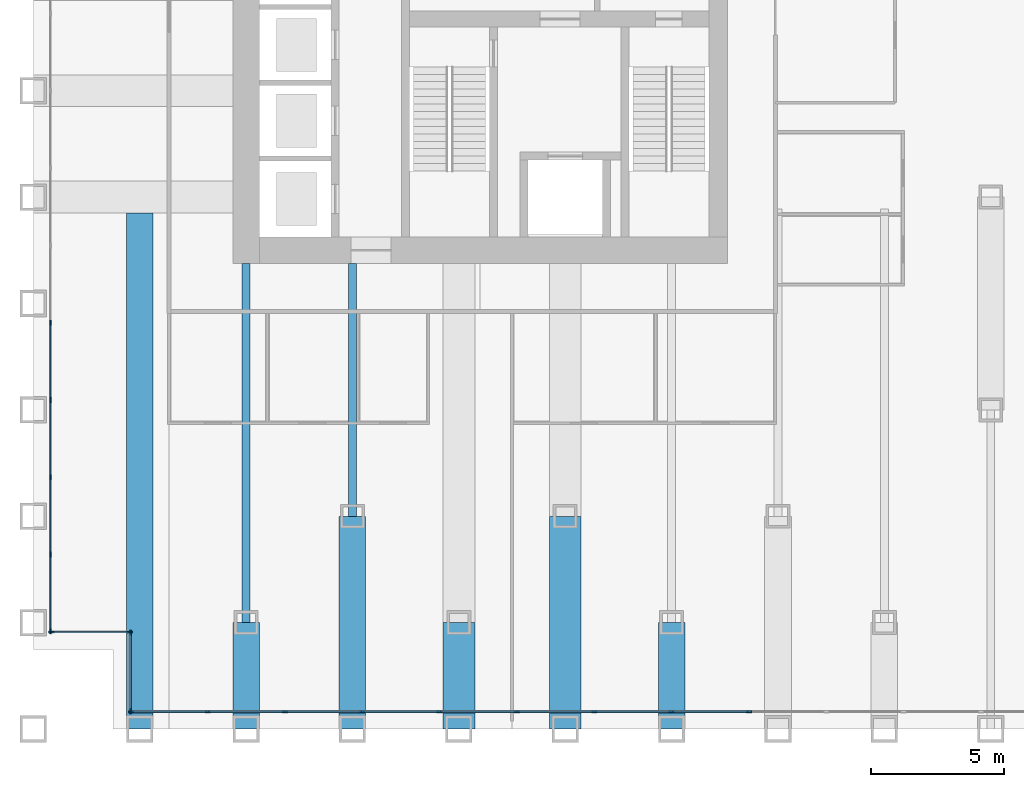
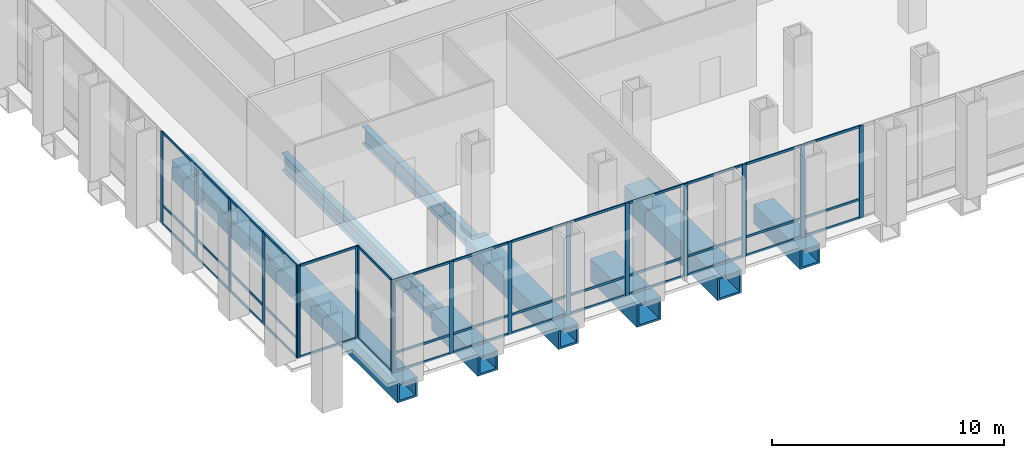
# One storey, part 2 of 16: 58 members, 8 beams, 4 elements without a shape of their own.
"""IFC4 building model written with IfcOpenShell, lengths in metres."""

from ifc_helpers import new_model, si_unit, direction, frame, origin, origin_2d, place, context, subcontext, project, spatial, rectangle, hollow_rectangle, i_section, extrude, material, material_profile, profile_set, type_object, element, aggregate, save


model = new_model("IFC4")

# Units and contexts
model_context = context("Model", 3, precision=1e-05, world=origin(), true_north=direction((0.0, 1.0)))
body_context = subcontext(model_context, "Body", "Model", "MODEL_VIEW")
ifc_project = project(units=[si_unit("LENGTHUNIT", "METRE"), si_unit("AREAUNIT", "SQUARE_METRE"), si_unit("VOLUMEUNIT", "CUBIC_METRE"), si_unit("PLANEANGLEUNIT", "RADIAN"), si_unit("MASSUNIT", "GRAM", prefix="KILO")], contexts=[model_context])

# Site, building, storey
site_placement = place(None, origin())
site = spatial("IfcSite", under=ifc_project, at=site_placement, CompositionType="ELEMENT")
building_placement = place(site_placement, origin())
building = spatial("IfcBuilding", under=site, at=building_placement, Name="Rimbunsela Tower", CompositionType="ELEMENT")
storey_placement = place(building_placement, frame((0.0, 0.0, 76.39990234375)))
storey = spatial("IfcBuildingStorey", under=building, at=storey_placement, Name="L18", CompositionType="ELEMENT", Elevation=76.39990234375)

# Beams
ifc_material_1 = material(Name="Steel BJ 55 (fy 410 MPa)", Category="steel")
ifc_material_profile_1 = material_profile(ifc_material_1, hollow_rectangle(XDim=1.0, YDim=1.0, WallThickness=0.10009765625, at=origin_2d()), Name="BOX 1000x1000x100")
ifc_profile_set_1 = profile_set([ifc_material_profile_1], Name="Steel BJ 55 (fy 410 MPa)")
beam_type_1 = type_object("IfcBeamType", Name="Beam BOX 1000x1000x100", PredefinedType="BEAM", material=ifc_profile_set_1)
beam_1_placement = place(storey_placement, frame((14.0, 0.0, -0.64990234375), z_axis=(0.0, 1.0, 0.0), x_axis=(-1.0, 0.0, 0.0)))
element("IfcBeam", 1, at=beam_1_placement, inside=storey, type_object=beam_type_1, Name="Beam B3 L18", PredefinedType="BEAM", context=body_context, shape_type="SweptSolid", body=[
    extrude(hollow_rectangle(XDim=1.0, YDim=1.0, WallThickness=0.10009765625, at=origin_2d()), origin(), (0.0, 0.0, 1.0), 19.39990234375),
])
beam_2_placement = place(storey_placement, frame((18.0, 0.0, -0.64990234375), z_axis=(0.0, 1.0, 0.0), x_axis=(-1.0, 0.0, 0.0)))
element("IfcBeam", 2, at=beam_2_placement, inside=storey, type_object=beam_type_1, Name="Beam B3 L18", PredefinedType="BEAM", context=body_context, shape_type="SweptSolid", body=[
    extrude(hollow_rectangle(XDim=1.0, YDim=1.0, WallThickness=0.10009765625, at=origin_2d()), origin(), (0.0, 0.0, 1.0), 4.0),
])
beam_3_placement = place(storey_placement, frame((22.0, 0.0, -0.64990234375), z_axis=(0.0, 1.0, 0.0), x_axis=(-1.0, 0.0, 0.0)))
element("IfcBeam", 3, at=beam_3_placement, inside=storey, type_object=beam_type_1, Name="Beam B3 L18", PredefinedType="BEAM", context=body_context, shape_type="SweptSolid", body=[
    extrude(hollow_rectangle(XDim=1.0, YDim=1.0, WallThickness=0.10009765625, at=origin_2d()), origin(), (0.0, 0.0, 1.0), 8.0),
])
beam_4_placement = place(storey_placement, frame((34.0, 0.0, -0.64990234375), z_axis=(0.0, 1.0, 0.0), x_axis=(-1.0, 0.0, 0.0)))
element("IfcBeam", 4, at=beam_4_placement, inside=storey, type_object=beam_type_1, Name="Beam B3 L18", PredefinedType="BEAM", context=body_context, shape_type="SweptSolid", body=[
    extrude(hollow_rectangle(XDim=1.0, YDim=1.0, WallThickness=0.10009765625, at=origin_2d()), origin(), (0.0, 0.0, 1.0), 4.0),
])
ifc_material_2 = material(Name="Steel BJ 55 (fy 410 MPa)", Category="steel")
ifc_material_profile_2 = material_profile(ifc_material_2, hollow_rectangle(XDim=1.199951171875, YDim=1.199951171875, WallThickness=0.10009765625, at=origin_2d()), Name="BOX 1200x1200x100")
ifc_profile_set_2 = profile_set([ifc_material_profile_2], Name="Steel BJ 55 (fy 410 MPa)")
beam_type_2 = type_object("IfcBeamType", Name="Beam BOX 1200x1200x100", PredefinedType="BEAM", material=ifc_profile_set_2)
beam_5_placement = place(storey_placement, frame((26.0, 0.0, -0.75), z_axis=(0.0, 1.0, 0.0), x_axis=(-1.0, 0.0, 0.0)))
element("IfcBeam", 5, at=beam_5_placement, inside=storey, type_object=beam_type_2, Name="Beam B5 L18", PredefinedType="BEAM", context=body_context, shape_type="SweptSolid", body=[
    extrude(hollow_rectangle(XDim=1.199951171875, YDim=1.199951171875, WallThickness=0.10009765625, at=origin_2d()), origin(), (0.0, 0.0, 1.0), 4.0),
])
beam_6_placement = place(storey_placement, frame((30.0, 0.0, -0.75), z_axis=(0.0, 1.0, 0.0), x_axis=(-1.0, 0.0, 0.0)))
element("IfcBeam", 6, at=beam_6_placement, inside=storey, type_object=beam_type_2, Name="Beam B5 L18", PredefinedType="BEAM", context=body_context, shape_type="SweptSolid", body=[
    extrude(hollow_rectangle(XDim=1.199951171875, YDim=1.199951171875, WallThickness=0.10009765625, at=origin_2d()), origin(), (0.0, 0.0, 1.0), 8.0),
])
ifc_material_3 = material(Name="Steel BJ 55 (fy 410 MPa)", Category="steel")
ifc_material_profile_3 = material_profile(ifc_material_3, i_section(OverallWidth=0.300048828125, OverallDepth=0.89990234375, WebThickness=0.01611328125, FlangeThickness=0.028076171875, FilletRadius=0.028076171875, at=origin_2d()), Name="H 900x300x16x28")
ifc_profile_set_3 = profile_set([ifc_material_profile_3], Name="Steel BJ 55 (fy 410 MPa)")
beam_type_3 = type_object("IfcBeamType", Name="Beam H 900x300x16x28", PredefinedType="BEAM", material=ifc_profile_set_3)
beam_7_placement = place(storey_placement, frame((18.0, 4.0, -0.599853515625), z_axis=(0.0, 1.0, 0.0), x_axis=(-1.0, 0.0, 0.0)))
element("IfcBeam", 7, at=beam_7_placement, inside=storey, type_object=beam_type_3, Name="Beam B2 L18", PredefinedType="BEAM", context=body_context, shape_type="SweptSolid", body=[
    extrude(i_section(OverallWidth=0.300048828125, OverallDepth=0.89990234375, WebThickness=0.01611328125, FlangeThickness=0.028076171875, FilletRadius=0.028076171875, at=origin_2d()), origin(), (0.0, 0.0, 1.0), 13.5),
])
beam_8_placement = place(storey_placement, frame((22.0, 8.0, -0.599853515625), z_axis=(0.0, 1.0, 0.0), x_axis=(-1.0, 0.0, 0.0)))
element("IfcBeam", 8, at=beam_8_placement, inside=storey, type_object=beam_type_3, Name="Beam B2 L18", PredefinedType="BEAM", context=body_context, shape_type="SweptSolid", body=[
    extrude(i_section(OverallWidth=0.300048828125, OverallDepth=0.89990234375, WebThickness=0.01611328125, FlangeThickness=0.028076171875, FilletRadius=0.028076171875, at=origin_2d()), origin(), (0.0, 0.0, 1.0), 9.5),
])

# Curtain wall, members
ifc_material_4 = material(Name="Aluminium curtain wall", Category="aluminium")
curtain_wall_type_1 = type_object("IfcCurtainWallType", Name="Sky lobby glazing", PredefinedType="USERDEFINED", material=ifc_material_4)
curtain_wall_1_placement = place(storey_placement, origin())
curtain_wall_1 = element("IfcCurtainWall", 9, at=curtain_wall_1_placement, inside=storey, type_object=curtain_wall_type_1, Name="Sky lobby glazing L18", ObjectType="SKY LOBBY GLAZING", PredefinedType="USERDEFINED")
ifc_material_5 = material(Name="Aluminium mullion", Category="aluminium")
ifc_material_profile_4 = material_profile(ifc_material_5, rectangle(XDim=0.06005859375, YDim=0.199951171875, at=origin_2d()), Name="Mullion 60x200")
ifc_profile_set_4 = profile_set([ifc_material_profile_4], Name="Aluminium mullion")
member_type_1 = type_object("IfcMemberType", Name="Curtain wall mullion 60x200", PredefinedType="MULLION", material=ifc_profile_set_4)
member_1_placement = place(storey_placement, frame((10.64990234375, 15.278564453125, 0.0), z_axis=(0.0, 0.0, 1.0), x_axis=(1.0, 0.0, 0.0)))
member_1 = element("IfcMember", 10, at=member_1_placement, type_object=member_type_1, Name="CW4 mullion 11", PredefinedType="MULLION", context=body_context, shape_type="SweptSolid", body=[
    extrude(rectangle(XDim=0.06005859375, YDim=0.199951171875, at=origin_2d()), origin(), (0.0, 0.0, 1.0), 4.85009765625),
])
member_2_placement = place(storey_placement, frame((10.64990234375, 12.371337890625, 0.0), z_axis=(0.0, 0.0, 1.0), x_axis=(1.0, 0.0, 0.0)))
member_2 = element("IfcMember", 11, at=member_2_placement, type_object=member_type_1, Name="CW4 mullion 12", PredefinedType="MULLION", context=body_context, shape_type="SweptSolid", body=[
    extrude(rectangle(XDim=0.06005859375, YDim=0.199951171875, at=origin_2d()), origin(), (0.0, 0.0, 1.0), 4.85009765625),
])
member_3_placement = place(storey_placement, frame((10.64990234375, 9.46435546875, 0.0), z_axis=(0.0, 0.0, 1.0), x_axis=(1.0, 0.0, 0.0)))
member_3 = element("IfcMember", 12, at=member_3_placement, type_object=member_type_1, Name="CW4 mullion 13", PredefinedType="MULLION", context=body_context, shape_type="SweptSolid", body=[
    extrude(rectangle(XDim=0.06005859375, YDim=0.199951171875, at=origin_2d()), origin(), (0.0, 0.0, 1.0), 4.85009765625),
])
member_4_placement = place(storey_placement, frame((10.64990234375, 6.55712890625, 0.0), z_axis=(0.0, 0.0, 1.0), x_axis=(1.0, 0.0, 0.0)))
member_4 = element("IfcMember", 13, at=member_4_placement, type_object=member_type_1, Name="CW4 mullion 14", PredefinedType="MULLION", context=body_context, shape_type="SweptSolid", body=[
    extrude(rectangle(XDim=0.06005859375, YDim=0.199951171875, at=origin_2d()), origin(), (0.0, 0.0, 1.0), 4.85009765625),
])
member_5_placement = place(storey_placement, frame((10.64990234375, 3.679931640625, 0.0), z_axis=(0.0, 0.0, 1.0), x_axis=(1.0, 0.0, 0.0)))
member_5 = element("IfcMember", 14, at=member_5_placement, type_object=member_type_1, Name="CW4 mullion 15", PredefinedType="MULLION", context=body_context, shape_type="SweptSolid", body=[
    extrude(rectangle(XDim=0.06005859375, YDim=0.199951171875, at=origin_2d()), origin(), (0.0, 0.0, 1.0), 4.85009765625),
])

ifc_material_6 = material(Name="Aluminium curtain wall", Category="aluminium")
curtain_wall_type_2 = type_object("IfcCurtainWallType", Name="Corner glazing", PredefinedType="USERDEFINED", material=ifc_material_6)
curtain_wall_2_placement = place(storey_placement, origin())
curtain_wall_2 = element("IfcCurtainWall", 15, at=curtain_wall_2_placement, inside=storey, type_object=curtain_wall_type_2, Name="Corner glazing L18", ObjectType="CORNER GLAZING", PredefinedType="USERDEFINED")
member_6_placement = place(storey_placement, frame((10.679931640625, 3.64990234375, 0.0), z_axis=(0.0, 0.0, 1.0), x_axis=(0.0, 1.0, 0.0)))
member_6 = element("IfcMember", 16, at=member_6_placement, type_object=member_type_1, Name="CW5 mullion 1", PredefinedType="MULLION", context=body_context, shape_type="SweptSolid", body=[
    extrude(rectangle(XDim=0.06005859375, YDim=0.199951171875, at=origin_2d()), origin(), (0.0, 0.0, 1.0), 4.85009765625),
])
member_7_placement = place(storey_placement, frame((13.6201171875, 3.64990234375, 0.0), z_axis=(0.0, 0.0, 1.0), x_axis=(0.0, 1.0, 0.0)))
member_7 = element("IfcMember", 17, at=member_7_placement, type_object=member_type_1, Name="CW5 mullion 2", PredefinedType="MULLION", context=body_context, shape_type="SweptSolid", body=[
    extrude(rectangle(XDim=0.06005859375, YDim=0.199951171875, at=origin_2d()), origin(), (0.0, 0.0, 1.0), 4.85009765625),
])

curtain_wall_3_placement = place(storey_placement, origin())
curtain_wall_3 = element("IfcCurtainWall", 18, at=curtain_wall_3_placement, inside=storey, type_object=curtain_wall_type_2, Name="Corner glazing L18", ObjectType="CORNER GLAZING", PredefinedType="USERDEFINED")
member_8_placement = place(storey_placement, frame((13.64990234375, 3.6201171875, 0.0), z_axis=(0.0, 0.0, 1.0), x_axis=(1.0, 0.0, 0.0)))
member_8 = element("IfcMember", 19, at=member_8_placement, type_object=member_type_1, Name="CW5 mullion 1", PredefinedType="MULLION", context=body_context, shape_type="SweptSolid", body=[
    extrude(rectangle(XDim=0.06005859375, YDim=0.199951171875, at=origin_2d()), origin(), (0.0, 0.0, 1.0), 4.85009765625),
])
member_9_placement = place(storey_placement, frame((13.64990234375, 0.679931640625, 0.0), z_axis=(0.0, 0.0, 1.0), x_axis=(1.0, 0.0, 0.0)))
member_9 = element("IfcMember", 20, at=member_9_placement, type_object=member_type_1, Name="CW5 mullion 2", PredefinedType="MULLION", context=body_context, shape_type="SweptSolid", body=[
    extrude(rectangle(XDim=0.06005859375, YDim=0.199951171875, at=origin_2d()), origin(), (0.0, 0.0, 1.0), 4.85009765625),
])

curtain_wall_4_placement = place(storey_placement, origin())
curtain_wall_4 = element("IfcCurtainWall", 21, at=curtain_wall_4_placement, inside=storey, type_object=curtain_wall_type_1, Name="Sky lobby glazing L18", ObjectType="SKY LOBBY GLAZING", PredefinedType="USERDEFINED")
member_10_placement = place(storey_placement, frame((13.679931640625, 0.64990234375, 0.0), z_axis=(0.0, 0.0, 1.0), x_axis=(0.0, 1.0, 0.0)))
member_10 = element("IfcMember", 22, at=member_10_placement, type_object=member_type_1, Name="CW4 mullion 1", PredefinedType="MULLION", context=body_context, shape_type="SweptSolid", body=[
    extrude(rectangle(XDim=0.06005859375, YDim=0.199951171875, at=origin_2d()), origin(), (0.0, 0.0, 1.0), 4.85009765625),
])
member_11_placement = place(storey_placement, frame((16.55712890625, 0.64990234375, 0.0), z_axis=(0.0, 0.0, 1.0), x_axis=(0.0, 1.0, 0.0)))
member_11 = element("IfcMember", 23, at=member_11_placement, type_object=member_type_1, Name="CW4 mullion 2", PredefinedType="MULLION", context=body_context, shape_type="SweptSolid", body=[
    extrude(rectangle(XDim=0.06005859375, YDim=0.199951171875, at=origin_2d()), origin(), (0.0, 0.0, 1.0), 4.85009765625),
])
member_12_placement = place(storey_placement, frame((19.46435546875, 0.64990234375, 0.0), z_axis=(0.0, 0.0, 1.0), x_axis=(0.0, 1.0, 0.0)))
member_12 = element("IfcMember", 24, at=member_12_placement, type_object=member_type_1, Name="CW4 mullion 3", PredefinedType="MULLION", context=body_context, shape_type="SweptSolid", body=[
    extrude(rectangle(XDim=0.06005859375, YDim=0.199951171875, at=origin_2d()), origin(), (0.0, 0.0, 1.0), 4.85009765625),
])
member_13_placement = place(storey_placement, frame((22.371337890625, 0.64990234375, 0.0), z_axis=(0.0, 0.0, 1.0), x_axis=(0.0, 1.0, 0.0)))
member_13 = element("IfcMember", 25, at=member_13_placement, type_object=member_type_1, Name="CW4 mullion 4", PredefinedType="MULLION", context=body_context, shape_type="SweptSolid", body=[
    extrude(rectangle(XDim=0.06005859375, YDim=0.199951171875, at=origin_2d()), origin(), (0.0, 0.0, 1.0), 4.85009765625),
])
member_14_placement = place(storey_placement, frame((25.278564453125, 0.64990234375, 0.0), z_axis=(0.0, 0.0, 1.0), x_axis=(0.0, 1.0, 0.0)))
member_14 = element("IfcMember", 26, at=member_14_placement, type_object=member_type_1, Name="CW4 mullion 5", PredefinedType="MULLION", context=body_context, shape_type="SweptSolid", body=[
    extrude(rectangle(XDim=0.06005859375, YDim=0.199951171875, at=origin_2d()), origin(), (0.0, 0.0, 1.0), 4.85009765625),
])
member_15_placement = place(storey_placement, frame((28.185791015625, 0.64990234375, 0.0), z_axis=(0.0, 0.0, 1.0), x_axis=(0.0, 1.0, 0.0)))
member_15 = element("IfcMember", 27, at=member_15_placement, type_object=member_type_1, Name="CW4 mullion 6", PredefinedType="MULLION", context=body_context, shape_type="SweptSolid", body=[
    extrude(rectangle(XDim=0.06005859375, YDim=0.199951171875, at=origin_2d()), origin(), (0.0, 0.0, 1.0), 4.85009765625),
])
member_16_placement = place(storey_placement, frame((31.0927734375, 0.64990234375, 0.0), z_axis=(0.0, 0.0, 1.0), x_axis=(0.0, 1.0, 0.0)))
member_16 = element("IfcMember", 28, at=member_16_placement, type_object=member_type_1, Name="CW4 mullion 7", PredefinedType="MULLION", context=body_context, shape_type="SweptSolid", body=[
    extrude(rectangle(XDim=0.06005859375, YDim=0.199951171875, at=origin_2d()), origin(), (0.0, 0.0, 1.0), 4.85009765625),
])
member_17_placement = place(storey_placement, frame((34.0, 0.64990234375, 0.0), z_axis=(0.0, 0.0, 1.0), x_axis=(0.0, 1.0, 0.0)))
member_17 = element("IfcMember", 29, at=member_17_placement, type_object=member_type_1, Name="CW4 mullion 8", PredefinedType="MULLION", context=body_context, shape_type="SweptSolid", body=[
    extrude(rectangle(XDim=0.06005859375, YDim=0.199951171875, at=origin_2d()), origin(), (0.0, 0.0, 1.0), 4.85009765625),
])
member_18_placement = place(storey_placement, frame((36.9072265625, 0.64990234375, 0.0), z_axis=(0.0, 0.0, 1.0), x_axis=(0.0, 1.0, 0.0)))
member_18 = element("IfcMember", 30, at=member_18_placement, type_object=member_type_1, Name="CW4 mullion 9", PredefinedType="MULLION", context=body_context, shape_type="SweptSolid", body=[
    extrude(rectangle(XDim=0.06005859375, YDim=0.199951171875, at=origin_2d()), origin(), (0.0, 0.0, 1.0), 4.85009765625),
])

# Member
ifc_material_7 = material(Name="Aluminium transom", Category="aluminium")
ifc_material_profile_5 = material_profile(ifc_material_7, rectangle(XDim=0.06005859375, YDim=0.1201171875, at=origin_2d()), Name="Transom 60x120")
ifc_profile_set_5 = profile_set([ifc_material_profile_5], Name="Aluminium transom")
member_type_2 = type_object("IfcMemberType", Name="Curtain wall transom 60x120", PredefinedType="USERDEFINED", material=ifc_profile_set_5)
member_19_placement = place(storey_placement, frame((10.64990234375, 15.24853515625, 0.030029296875), z_axis=(0.0, -1.0, 0.0), x_axis=(1.0, 0.0, 0.0)))
member_19 = element("IfcMember", 31, at=member_19_placement, type_object=member_type_2, Name="CW4 transom 11.1", ObjectType="TRANSOM", PredefinedType="USERDEFINED", context=body_context, shape_type="SweptSolid", body=[
    extrude(rectangle(XDim=0.06005859375, YDim=0.1201171875, at=origin_2d()), origin(), (0.0, 0.0, 1.0), 2.84716796875),
])

member_20_placement = place(storey_placement, frame((10.64990234375, 15.24853515625, 1.0), z_axis=(0.0, -1.0, 0.0), x_axis=(1.0, 0.0, 0.0)))
member_20 = element("IfcMember", 32, at=member_20_placement, type_object=member_type_2, Name="CW4 transom 11.2", ObjectType="TRANSOM", PredefinedType="USERDEFINED", context=body_context, shape_type="SweptSolid", body=[
    extrude(rectangle(XDim=0.06005859375, YDim=0.1201171875, at=origin_2d()), origin(), (0.0, 0.0, 1.0), 2.84716796875),
])

member_21_placement = place(storey_placement, frame((10.64990234375, 15.24853515625, 4.820068359375), z_axis=(0.0, -1.0, 0.0), x_axis=(1.0, 0.0, 0.0)))
member_21 = element("IfcMember", 33, at=member_21_placement, type_object=member_type_2, Name="CW4 transom 11.3", ObjectType="TRANSOM", PredefinedType="USERDEFINED", context=body_context, shape_type="SweptSolid", body=[
    extrude(rectangle(XDim=0.06005859375, YDim=0.1201171875, at=origin_2d()), origin(), (0.0, 0.0, 1.0), 2.84716796875),
])

member_22_placement = place(storey_placement, frame((10.64990234375, 12.34130859375, 0.030029296875), z_axis=(0.0, -1.0, 0.0), x_axis=(1.0, 0.0, 0.0)))
member_22 = element("IfcMember", 34, at=member_22_placement, type_object=member_type_2, Name="CW4 transom 12.1", ObjectType="TRANSOM", PredefinedType="USERDEFINED", context=body_context, shape_type="SweptSolid", body=[
    extrude(rectangle(XDim=0.06005859375, YDim=0.1201171875, at=origin_2d()), origin(), (0.0, 0.0, 1.0), 2.846923828125),
])

member_23_placement = place(storey_placement, frame((10.64990234375, 12.34130859375, 1.0), z_axis=(0.0, -1.0, 0.0), x_axis=(1.0, 0.0, 0.0)))
member_23 = element("IfcMember", 35, at=member_23_placement, type_object=member_type_2, Name="CW4 transom 12.2", ObjectType="TRANSOM", PredefinedType="USERDEFINED", context=body_context, shape_type="SweptSolid", body=[
    extrude(rectangle(XDim=0.06005859375, YDim=0.1201171875, at=origin_2d()), origin(), (0.0, 0.0, 1.0), 2.846923828125),
])

member_24_placement = place(storey_placement, frame((10.64990234375, 12.34130859375, 4.820068359375), z_axis=(0.0, -1.0, 0.0), x_axis=(1.0, 0.0, 0.0)))
member_24 = element("IfcMember", 36, at=member_24_placement, type_object=member_type_2, Name="CW4 transom 12.3", ObjectType="TRANSOM", PredefinedType="USERDEFINED", context=body_context, shape_type="SweptSolid", body=[
    extrude(rectangle(XDim=0.06005859375, YDim=0.1201171875, at=origin_2d()), origin(), (0.0, 0.0, 1.0), 2.846923828125),
])

member_25_placement = place(storey_placement, frame((10.64990234375, 9.434326171875, 0.030029296875), z_axis=(0.0, -1.0, 0.0), x_axis=(1.0, 0.0, 0.0)))
member_25 = element("IfcMember", 37, at=member_25_placement, type_object=member_type_2, Name="CW4 transom 13.1", ObjectType="TRANSOM", PredefinedType="USERDEFINED", context=body_context, shape_type="SweptSolid", body=[
    extrude(rectangle(XDim=0.06005859375, YDim=0.1201171875, at=origin_2d()), origin(), (0.0, 0.0, 1.0), 2.84716796875),
])

member_26_placement = place(storey_placement, frame((10.64990234375, 9.434326171875, 1.0), z_axis=(0.0, -1.0, 0.0), x_axis=(1.0, 0.0, 0.0)))
member_26 = element("IfcMember", 38, at=member_26_placement, type_object=member_type_2, Name="CW4 transom 13.2", ObjectType="TRANSOM", PredefinedType="USERDEFINED", context=body_context, shape_type="SweptSolid", body=[
    extrude(rectangle(XDim=0.06005859375, YDim=0.1201171875, at=origin_2d()), origin(), (0.0, 0.0, 1.0), 2.84716796875),
])

member_27_placement = place(storey_placement, frame((10.64990234375, 9.434326171875, 4.820068359375), z_axis=(0.0, -1.0, 0.0), x_axis=(1.0, 0.0, 0.0)))
member_27 = element("IfcMember", 39, at=member_27_placement, type_object=member_type_2, Name="CW4 transom 13.3", ObjectType="TRANSOM", PredefinedType="USERDEFINED", context=body_context, shape_type="SweptSolid", body=[
    extrude(rectangle(XDim=0.06005859375, YDim=0.1201171875, at=origin_2d()), origin(), (0.0, 0.0, 1.0), 2.84716796875),
])

member_28_placement = place(storey_placement, frame((10.64990234375, 6.527099609375, 0.030029296875), z_axis=(0.0, -1.0, 0.0), x_axis=(1.0, 0.0, 0.0)))
member_28 = element("IfcMember", 40, at=member_28_placement, type_object=member_type_2, Name="CW4 transom 14.1", ObjectType="TRANSOM", PredefinedType="USERDEFINED", context=body_context, shape_type="SweptSolid", body=[
    extrude(rectangle(XDim=0.06005859375, YDim=0.1201171875, at=origin_2d()), origin(), (0.0, 0.0, 1.0), 2.817138671875),
])

member_29_placement = place(storey_placement, frame((10.64990234375, 6.527099609375, 1.0), z_axis=(0.0, -1.0, 0.0), x_axis=(1.0, 0.0, 0.0)))
member_29 = element("IfcMember", 41, at=member_29_placement, type_object=member_type_2, Name="CW4 transom 14.2", ObjectType="TRANSOM", PredefinedType="USERDEFINED", context=body_context, shape_type="SweptSolid", body=[
    extrude(rectangle(XDim=0.06005859375, YDim=0.1201171875, at=origin_2d()), origin(), (0.0, 0.0, 1.0), 2.817138671875),
])

member_30_placement = place(storey_placement, frame((10.64990234375, 6.527099609375, 4.820068359375), z_axis=(0.0, -1.0, 0.0), x_axis=(1.0, 0.0, 0.0)))
member_30 = element("IfcMember", 42, at=member_30_placement, type_object=member_type_2, Name="CW4 transom 14.3", ObjectType="TRANSOM", PredefinedType="USERDEFINED", context=body_context, shape_type="SweptSolid", body=[
    extrude(rectangle(XDim=0.06005859375, YDim=0.1201171875, at=origin_2d()), origin(), (0.0, 0.0, 1.0), 2.817138671875),
])

aggregate(curtain_wall_1, [member_1, member_2, member_3, member_4, member_5, member_19, member_20, member_21, member_22, member_23, member_24, member_25, member_26, member_27, member_28, member_29, member_30])

member_31_placement = place(storey_placement, frame((10.7099609375, 3.64990234375, 0.030029296875), z_axis=(1.0, 0.0, 0.0), x_axis=(0.0, 1.0, 0.0)))
member_31 = element("IfcMember", 43, at=member_31_placement, type_object=member_type_2, Name="CW5 transom 1.1", ObjectType="TRANSOM", PredefinedType="USERDEFINED", context=body_context, shape_type="SweptSolid", body=[
    extrude(rectangle(XDim=0.06005859375, YDim=0.1201171875, at=origin_2d()), origin(), (0.0, 0.0, 1.0), 2.880126953125),
])

member_32_placement = place(storey_placement, frame((10.7099609375, 3.64990234375, 4.820068359375), z_axis=(1.0, 0.0, 0.0), x_axis=(0.0, 1.0, 0.0)))
member_32 = element("IfcMember", 44, at=member_32_placement, type_object=member_type_2, Name="CW5 transom 1.2", ObjectType="TRANSOM", PredefinedType="USERDEFINED", context=body_context, shape_type="SweptSolid", body=[
    extrude(rectangle(XDim=0.06005859375, YDim=0.1201171875, at=origin_2d()), origin(), (0.0, 0.0, 1.0), 2.880126953125),
])

aggregate(curtain_wall_2, [member_6, member_7, member_31, member_32])

member_33_placement = place(storey_placement, frame((13.64990234375, 3.590087890625, 0.030029296875), z_axis=(0.0, -1.0, 0.0), x_axis=(1.0, 0.0, 0.0)))
member_33 = element("IfcMember", 45, at=member_33_placement, type_object=member_type_2, Name="CW5 transom 1.1", ObjectType="TRANSOM", PredefinedType="USERDEFINED", context=body_context, shape_type="SweptSolid", body=[
    extrude(rectangle(XDim=0.06005859375, YDim=0.1201171875, at=origin_2d()), origin(), (0.0, 0.0, 1.0), 2.880126953125),
])

member_34_placement = place(storey_placement, frame((13.64990234375, 3.590087890625, 4.820068359375), z_axis=(0.0, -1.0, 0.0), x_axis=(1.0, 0.0, 0.0)))
member_34 = element("IfcMember", 46, at=member_34_placement, type_object=member_type_2, Name="CW5 transom 1.2", ObjectType="TRANSOM", PredefinedType="USERDEFINED", context=body_context, shape_type="SweptSolid", body=[
    extrude(rectangle(XDim=0.06005859375, YDim=0.1201171875, at=origin_2d()), origin(), (0.0, 0.0, 1.0), 2.880126953125),
])

aggregate(curtain_wall_3, [member_8, member_9, member_33, member_34])

member_35_placement = place(storey_placement, frame((13.7099609375, 0.64990234375, 0.030029296875), z_axis=(1.0, 0.0, 0.0), x_axis=(0.0, 1.0, 0.0)))
member_35 = element("IfcMember", 47, at=member_35_placement, type_object=member_type_2, Name="CW4 transom 1.1", ObjectType="TRANSOM", PredefinedType="USERDEFINED", context=body_context, shape_type="SweptSolid", body=[
    extrude(rectangle(XDim=0.06005859375, YDim=0.1201171875, at=origin_2d()), origin(), (0.0, 0.0, 1.0), 2.817138671875),
])

member_36_placement = place(storey_placement, frame((13.7099609375, 0.64990234375, 1.0), z_axis=(1.0, 0.0, 0.0), x_axis=(0.0, 1.0, 0.0)))
member_36 = element("IfcMember", 48, at=member_36_placement, type_object=member_type_2, Name="CW4 transom 1.2", ObjectType="TRANSOM", PredefinedType="USERDEFINED", context=body_context, shape_type="SweptSolid", body=[
    extrude(rectangle(XDim=0.06005859375, YDim=0.1201171875, at=origin_2d()), origin(), (0.0, 0.0, 1.0), 2.817138671875),
])

member_37_placement = place(storey_placement, frame((13.7099609375, 0.64990234375, 4.820068359375), z_axis=(1.0, 0.0, 0.0), x_axis=(0.0, 1.0, 0.0)))
member_37 = element("IfcMember", 49, at=member_37_placement, type_object=member_type_2, Name="CW4 transom 1.3", ObjectType="TRANSOM", PredefinedType="USERDEFINED", context=body_context, shape_type="SweptSolid", body=[
    extrude(rectangle(XDim=0.06005859375, YDim=0.1201171875, at=origin_2d()), origin(), (0.0, 0.0, 1.0), 2.817138671875),
])

member_38_placement = place(storey_placement, frame((16.587158203125, 0.64990234375, 0.030029296875), z_axis=(1.0, 0.0, 0.0), x_axis=(0.0, 1.0, 0.0)))
member_38 = element("IfcMember", 50, at=member_38_placement, type_object=member_type_2, Name="CW4 transom 2.1", ObjectType="TRANSOM", PredefinedType="USERDEFINED", context=body_context, shape_type="SweptSolid", body=[
    extrude(rectangle(XDim=0.06005859375, YDim=0.1201171875, at=origin_2d()), origin(), (0.0, 0.0, 1.0), 2.84716796875),
])

member_39_placement = place(storey_placement, frame((16.587158203125, 0.64990234375, 1.0), z_axis=(1.0, 0.0, 0.0), x_axis=(0.0, 1.0, 0.0)))
member_39 = element("IfcMember", 51, at=member_39_placement, type_object=member_type_2, Name="CW4 transom 2.2", ObjectType="TRANSOM", PredefinedType="USERDEFINED", context=body_context, shape_type="SweptSolid", body=[
    extrude(rectangle(XDim=0.06005859375, YDim=0.1201171875, at=origin_2d()), origin(), (0.0, 0.0, 1.0), 2.84716796875),
])

member_40_placement = place(storey_placement, frame((16.587158203125, 0.64990234375, 4.820068359375), z_axis=(1.0, 0.0, 0.0), x_axis=(0.0, 1.0, 0.0)))
member_40 = element("IfcMember", 52, at=member_40_placement, type_object=member_type_2, Name="CW4 transom 2.3", ObjectType="TRANSOM", PredefinedType="USERDEFINED", context=body_context, shape_type="SweptSolid", body=[
    extrude(rectangle(XDim=0.06005859375, YDim=0.1201171875, at=origin_2d()), origin(), (0.0, 0.0, 1.0), 2.84716796875),
])

member_41_placement = place(storey_placement, frame((19.494384765625, 0.64990234375, 0.030029296875), z_axis=(1.0, 0.0, 0.0), x_axis=(0.0, 1.0, 0.0)))
member_41 = element("IfcMember", 53, at=member_41_placement, type_object=member_type_2, Name="CW4 transom 3.1", ObjectType="TRANSOM", PredefinedType="USERDEFINED", context=body_context, shape_type="SweptSolid", body=[
    extrude(rectangle(XDim=0.06005859375, YDim=0.1201171875, at=origin_2d()), origin(), (0.0, 0.0, 1.0), 2.846923828125),
])

member_42_placement = place(storey_placement, frame((19.494384765625, 0.64990234375, 1.0), z_axis=(1.0, 0.0, 0.0), x_axis=(0.0, 1.0, 0.0)))
member_42 = element("IfcMember", 54, at=member_42_placement, type_object=member_type_2, Name="CW4 transom 3.2", ObjectType="TRANSOM", PredefinedType="USERDEFINED", context=body_context, shape_type="SweptSolid", body=[
    extrude(rectangle(XDim=0.06005859375, YDim=0.1201171875, at=origin_2d()), origin(), (0.0, 0.0, 1.0), 2.846923828125),
])

member_43_placement = place(storey_placement, frame((19.494384765625, 0.64990234375, 4.820068359375), z_axis=(1.0, 0.0, 0.0), x_axis=(0.0, 1.0, 0.0)))
member_43 = element("IfcMember", 55, at=member_43_placement, type_object=member_type_2, Name="CW4 transom 3.3", ObjectType="TRANSOM", PredefinedType="USERDEFINED", context=body_context, shape_type="SweptSolid", body=[
    extrude(rectangle(XDim=0.06005859375, YDim=0.1201171875, at=origin_2d()), origin(), (0.0, 0.0, 1.0), 2.846923828125),
])

member_44_placement = place(storey_placement, frame((22.4013671875, 0.64990234375, 0.030029296875), z_axis=(1.0, 0.0, 0.0), x_axis=(0.0, 1.0, 0.0)))
member_44 = element("IfcMember", 56, at=member_44_placement, type_object=member_type_2, Name="CW4 transom 4.1", ObjectType="TRANSOM", PredefinedType="USERDEFINED", context=body_context, shape_type="SweptSolid", body=[
    extrude(rectangle(XDim=0.06005859375, YDim=0.1201171875, at=origin_2d()), origin(), (0.0, 0.0, 1.0), 2.84716796875),
])

member_45_placement = place(storey_placement, frame((22.4013671875, 0.64990234375, 1.0), z_axis=(1.0, 0.0, 0.0), x_axis=(0.0, 1.0, 0.0)))
member_45 = element("IfcMember", 57, at=member_45_placement, type_object=member_type_2, Name="CW4 transom 4.2", ObjectType="TRANSOM", PredefinedType="USERDEFINED", context=body_context, shape_type="SweptSolid", body=[
    extrude(rectangle(XDim=0.06005859375, YDim=0.1201171875, at=origin_2d()), origin(), (0.0, 0.0, 1.0), 2.84716796875),
])

member_46_placement = place(storey_placement, frame((22.4013671875, 0.64990234375, 4.820068359375), z_axis=(1.0, 0.0, 0.0), x_axis=(0.0, 1.0, 0.0)))
member_46 = element("IfcMember", 58, at=member_46_placement, type_object=member_type_2, Name="CW4 transom 4.3", ObjectType="TRANSOM", PredefinedType="USERDEFINED", context=body_context, shape_type="SweptSolid", body=[
    extrude(rectangle(XDim=0.06005859375, YDim=0.1201171875, at=origin_2d()), origin(), (0.0, 0.0, 1.0), 2.84716796875),
])

member_47_placement = place(storey_placement, frame((25.30859375, 0.64990234375, 0.030029296875), z_axis=(1.0, 0.0, 0.0), x_axis=(0.0, 1.0, 0.0)))
member_47 = element("IfcMember", 59, at=member_47_placement, type_object=member_type_2, Name="CW4 transom 5.1", ObjectType="TRANSOM", PredefinedType="USERDEFINED", context=body_context, shape_type="SweptSolid", body=[
    extrude(rectangle(XDim=0.06005859375, YDim=0.1201171875, at=origin_2d()), origin(), (0.0, 0.0, 1.0), 2.84716796875),
])

member_48_placement = place(storey_placement, frame((25.30859375, 0.64990234375, 1.0), z_axis=(1.0, 0.0, 0.0), x_axis=(0.0, 1.0, 0.0)))
member_48 = element("IfcMember", 60, at=member_48_placement, type_object=member_type_2, Name="CW4 transom 5.2", ObjectType="TRANSOM", PredefinedType="USERDEFINED", context=body_context, shape_type="SweptSolid", body=[
    extrude(rectangle(XDim=0.06005859375, YDim=0.1201171875, at=origin_2d()), origin(), (0.0, 0.0, 1.0), 2.84716796875),
])

member_49_placement = place(storey_placement, frame((25.30859375, 0.64990234375, 4.820068359375), z_axis=(1.0, 0.0, 0.0), x_axis=(0.0, 1.0, 0.0)))
member_49 = element("IfcMember", 61, at=member_49_placement, type_object=member_type_2, Name="CW4 transom 5.3", ObjectType="TRANSOM", PredefinedType="USERDEFINED", context=body_context, shape_type="SweptSolid", body=[
    extrude(rectangle(XDim=0.06005859375, YDim=0.1201171875, at=origin_2d()), origin(), (0.0, 0.0, 1.0), 2.84716796875),
])

member_50_placement = place(storey_placement, frame((28.2158203125, 0.64990234375, 0.030029296875), z_axis=(1.0, 0.0, 0.0), x_axis=(0.0, 1.0, 0.0)))
member_50 = element("IfcMember", 62, at=member_50_placement, type_object=member_type_2, Name="CW4 transom 6.1", ObjectType="TRANSOM", PredefinedType="USERDEFINED", context=body_context, shape_type="SweptSolid", body=[
    extrude(rectangle(XDim=0.06005859375, YDim=0.1201171875, at=origin_2d()), origin(), (0.0, 0.0, 1.0), 2.846923828125),
])

member_51_placement = place(storey_placement, frame((28.2158203125, 0.64990234375, 1.0), z_axis=(1.0, 0.0, 0.0), x_axis=(0.0, 1.0, 0.0)))
member_51 = element("IfcMember", 63, at=member_51_placement, type_object=member_type_2, Name="CW4 transom 6.2", ObjectType="TRANSOM", PredefinedType="USERDEFINED", context=body_context, shape_type="SweptSolid", body=[
    extrude(rectangle(XDim=0.06005859375, YDim=0.1201171875, at=origin_2d()), origin(), (0.0, 0.0, 1.0), 2.846923828125),
])

member_52_placement = place(storey_placement, frame((28.2158203125, 0.64990234375, 4.820068359375), z_axis=(1.0, 0.0, 0.0), x_axis=(0.0, 1.0, 0.0)))
member_52 = element("IfcMember", 64, at=member_52_placement, type_object=member_type_2, Name="CW4 transom 6.3", ObjectType="TRANSOM", PredefinedType="USERDEFINED", context=body_context, shape_type="SweptSolid", body=[
    extrude(rectangle(XDim=0.06005859375, YDim=0.1201171875, at=origin_2d()), origin(), (0.0, 0.0, 1.0), 2.846923828125),
])

member_53_placement = place(storey_placement, frame((31.122802734375, 0.64990234375, 0.030029296875), z_axis=(1.0, 0.0, 0.0), x_axis=(0.0, 1.0, 0.0)))
member_53 = element("IfcMember", 65, at=member_53_placement, type_object=member_type_2, Name="CW4 transom 7.1", ObjectType="TRANSOM", PredefinedType="USERDEFINED", context=body_context, shape_type="SweptSolid", body=[
    extrude(rectangle(XDim=0.06005859375, YDim=0.1201171875, at=origin_2d()), origin(), (0.0, 0.0, 1.0), 2.84716796875),
])

member_54_placement = place(storey_placement, frame((31.122802734375, 0.64990234375, 1.0), z_axis=(1.0, 0.0, 0.0), x_axis=(0.0, 1.0, 0.0)))
member_54 = element("IfcMember", 66, at=member_54_placement, type_object=member_type_2, Name="CW4 transom 7.2", ObjectType="TRANSOM", PredefinedType="USERDEFINED", context=body_context, shape_type="SweptSolid", body=[
    extrude(rectangle(XDim=0.06005859375, YDim=0.1201171875, at=origin_2d()), origin(), (0.0, 0.0, 1.0), 2.84716796875),
])

member_55_placement = place(storey_placement, frame((31.122802734375, 0.64990234375, 4.820068359375), z_axis=(1.0, 0.0, 0.0), x_axis=(0.0, 1.0, 0.0)))
member_55 = element("IfcMember", 67, at=member_55_placement, type_object=member_type_2, Name="CW4 transom 7.3", ObjectType="TRANSOM", PredefinedType="USERDEFINED", context=body_context, shape_type="SweptSolid", body=[
    extrude(rectangle(XDim=0.06005859375, YDim=0.1201171875, at=origin_2d()), origin(), (0.0, 0.0, 1.0), 2.84716796875),
])

member_56_placement = place(storey_placement, frame((34.030029296875, 0.64990234375, 0.030029296875), z_axis=(1.0, 0.0, 0.0), x_axis=(0.0, 1.0, 0.0)))
member_56 = element("IfcMember", 68, at=member_56_placement, type_object=member_type_2, Name="CW4 transom 8.1", ObjectType="TRANSOM", PredefinedType="USERDEFINED", context=body_context, shape_type="SweptSolid", body=[
    extrude(rectangle(XDim=0.06005859375, YDim=0.1201171875, at=origin_2d()), origin(), (0.0, 0.0, 1.0), 2.84716796875),
])

member_57_placement = place(storey_placement, frame((34.030029296875, 0.64990234375, 1.0), z_axis=(1.0, 0.0, 0.0), x_axis=(0.0, 1.0, 0.0)))
member_57 = element("IfcMember", 69, at=member_57_placement, type_object=member_type_2, Name="CW4 transom 8.2", ObjectType="TRANSOM", PredefinedType="USERDEFINED", context=body_context, shape_type="SweptSolid", body=[
    extrude(rectangle(XDim=0.06005859375, YDim=0.1201171875, at=origin_2d()), origin(), (0.0, 0.0, 1.0), 2.84716796875),
])

member_58_placement = place(storey_placement, frame((34.030029296875, 0.64990234375, 4.820068359375), z_axis=(1.0, 0.0, 0.0), x_axis=(0.0, 1.0, 0.0)))
member_58 = element("IfcMember", 70, at=member_58_placement, type_object=member_type_2, Name="CW4 transom 8.3", ObjectType="TRANSOM", PredefinedType="USERDEFINED", context=body_context, shape_type="SweptSolid", body=[
    extrude(rectangle(XDim=0.06005859375, YDim=0.1201171875, at=origin_2d()), origin(), (0.0, 0.0, 1.0), 2.84716796875),
])

aggregate(curtain_wall_4, [member_10, member_11, member_12, member_13, member_14, member_15, member_16, member_17, member_18, member_35, member_36, member_37, member_38, member_39, member_40, member_41, member_42, member_43, member_44, member_45, member_46, member_47, member_48, member_49, member_50, member_51, member_52, member_53, member_54, member_55, member_56, member_57, member_58])

save(model, "model.ifc")
